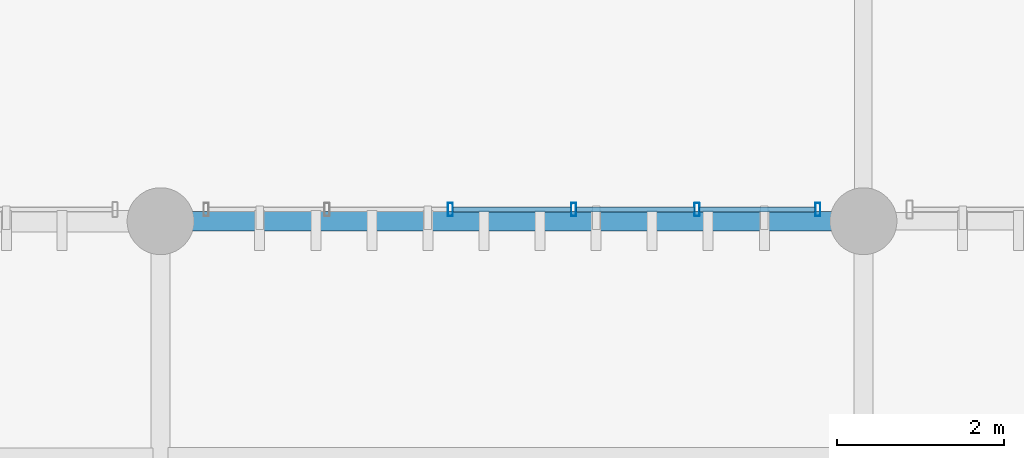
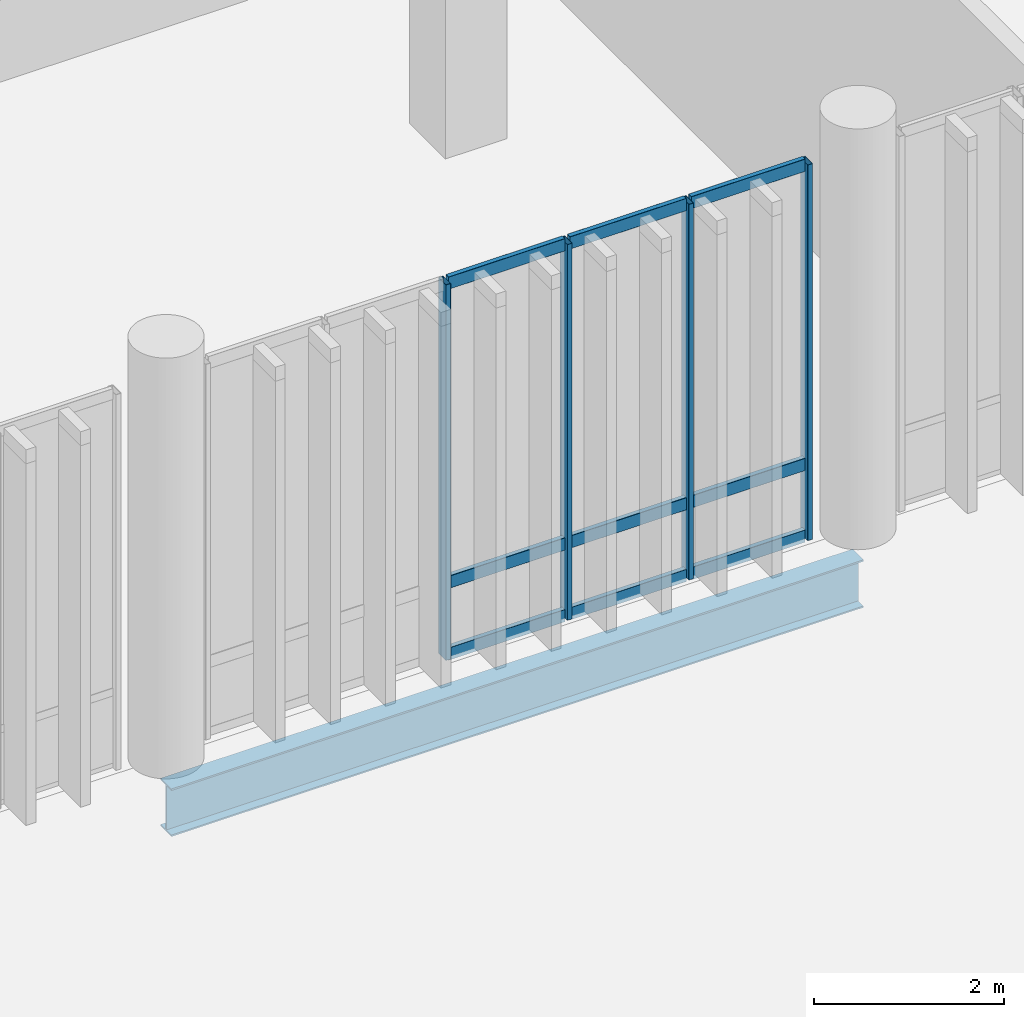
# One storey, part 16 of 112: 13 members, 1 beam, 1 element without a shape of its own.
"""IFC4 building model written with IfcOpenShell, lengths in metres."""

from ifc_helpers import new_model, si_unit, direction, frame, origin_with_axes, origin_2d_with_axis, place, context, subcontext, project, spatial, hollow_rectangle, i_section, extrude, material, material_profile, profile_set, type_object, element, aggregate, save


model = new_model("IFC4")

# Units and contexts
model_context = context("Model", 3, precision=1e-05, world=origin_with_axes(), true_north=direction((0.0, 1.0)))
body_context = subcontext(model_context, "Body", "Model", "MODEL_VIEW")
ifc_project = project(units=[si_unit("LENGTHUNIT", "METRE"), si_unit("AREAUNIT", "SQUARE_METRE"), si_unit("VOLUMEUNIT", "CUBIC_METRE"), si_unit("PLANEANGLEUNIT", "RADIAN"), si_unit("MASSUNIT", "GRAM", prefix="KILO"), si_unit("THERMODYNAMICTEMPERATUREUNIT", "KELVIN")], contexts=[model_context])

# Site, building, storey
site_placement = place(None, origin_with_axes())
site = spatial("IfcSite", under=ifc_project, at=site_placement, CompositionType="ELEMENT")
building_placement = place(site_placement, origin_with_axes())
building = spatial("IfcBuilding", under=site, at=building_placement, Name="Montbau Bow Law Courts", CompositionType="ELEMENT")
storey_placement = place(building_placement, origin_with_axes())
storey = spatial("IfcBuildingStorey", under=building, at=storey_placement, Name="L00", CompositionType="ELEMENT", Elevation=0.0)

# Beam
ifc_material_1 = material(Name="Steel CSA G40.21 Grade 350W (350 MPa)", Category="steel")
ifc_material_profile_1 = material_profile(ifc_material_1, i_section(OverallWidth=0.229, OverallDepth=0.612, WebThickness=0.0119, FlangeThickness=0.0196, at=origin_2d_with_axis()), Name="W610X125", Category="Main", Priority=0)
ifc_profile_set_1 = profile_set([ifc_material_profile_1], Name="Steel CSA G40.21 Grade 350W (350 MPa)")
beam_type = type_object("IfcBeamType", Name="B-FLR-05", PredefinedType="BEAM", material=ifc_profile_set_1)
beam_placement = place(None, frame((13.8, 30.6, -0.646), z_axis=(1.0, 0.0, 0.0), x_axis=(0.0, 1.0, 0.0)))
element("IfcBeam", 1, at=beam_placement, inside=storey, type_object=beam_type, Name="BM-L00-S0170:bm2_0173", PredefinedType="BEAM", context=body_context, shape_type="SweptSolid", body=[
    extrude(i_section(OverallWidth=0.229, OverallDepth=0.612, WebThickness=0.0119, FlangeThickness=0.0196, at=origin_2d_with_axis()), origin_with_axes(), (0.0, 0.0, 1.0), 8.4),
])

# Curtain wall, members
ifc_material_2 = material(Name="Thermally Broken Extruded Aluminium AA 6063-T6", Category="aluminium")
curtain_wall_type = type_object("IfcCurtainWallType", Name="CW-TRC-01", PredefinedType="NOTDEFINED", material=ifc_material_2)
curtain_wall_placement = place(None, frame((14.315, 30.74, 0.0), z_axis=(0.0, 0.0, 1.0), x_axis=(1.0, 0.0, 0.0)))
curtain_wall = element("IfcCurtainWall", 2, at=curtain_wall_placement, inside=storey, type_object=curtain_wall_type, Name="CW-L00-002:cw_0002", PredefinedType="NOTDEFINED")
ifc_material_profile_2 = material_profile(ifc_material_2, hollow_rectangle(XDim=0.06, YDim=0.16, WallThickness=0.004, InnerFilletRadius=0.008, OuterFilletRadius=0.004, at=origin_2d_with_axis()), Name="CWM-160X60", Category="Main", Priority=0)
ifc_profile_set_2 = profile_set([ifc_material_profile_2], Name="Thermally Broken Extruded Aluminium AA 6063-T6")
member_type_1 = type_object("IfcMemberType", Name="M-MUL-03", PredefinedType="MULLION", material=ifc_profile_set_2)
member_1_placement = place(None, frame((17.263, 30.74, 0.0), z_axis=(0.0, 0.0, 1.0), x_axis=(1.0, 0.0, 0.0)))
member_1 = element("IfcMember", 3, at=member_1_placement, type_object=member_type_1, Name="CW-L00-002-M03:cw_0002_M03", PredefinedType="MULLION", context=body_context, shape_type="SweptSolid", body=[
    extrude(hollow_rectangle(XDim=0.06, YDim=0.16, WallThickness=0.004, InnerFilletRadius=0.008, OuterFilletRadius=0.004, at=origin_2d_with_axis()), origin_with_axes(), (0.0, 0.0, 1.0), 4.82),
])
member_2_placement = place(None, frame((18.737, 30.74, 0.0), z_axis=(0.0, 0.0, 1.0), x_axis=(1.0, 0.0, 0.0)))
member_2 = element("IfcMember", 4, at=member_2_placement, type_object=member_type_1, Name="CW-L00-002-M04:cw_0002_M04", PredefinedType="MULLION", context=body_context, shape_type="SweptSolid", body=[
    extrude(hollow_rectangle(XDim=0.06, YDim=0.16, WallThickness=0.004, InnerFilletRadius=0.008, OuterFilletRadius=0.004, at=origin_2d_with_axis()), origin_with_axes(), (0.0, 0.0, 1.0), 4.82),
])
member_3_placement = place(None, frame((20.211, 30.74, 0.0), z_axis=(0.0, 0.0, 1.0), x_axis=(1.0, 0.0, 0.0)))
member_3 = element("IfcMember", 5, at=member_3_placement, type_object=member_type_1, Name="CW-L00-002-M05:cw_0002_M05", PredefinedType="MULLION", context=body_context, shape_type="SweptSolid", body=[
    extrude(hollow_rectangle(XDim=0.06, YDim=0.16, WallThickness=0.004, InnerFilletRadius=0.008, OuterFilletRadius=0.004, at=origin_2d_with_axis()), origin_with_axes(), (0.0, 0.0, 1.0), 4.82),
])
member_4_placement = place(None, frame((21.655, 30.74, 0.0), z_axis=(0.0, 0.0, 1.0), x_axis=(1.0, 0.0, 0.0)))
member_4 = element("IfcMember", 6, at=member_4_placement, type_object=member_type_1, Name="CW-L00-002-M06:cw_0002_M06", PredefinedType="MULLION", context=body_context, shape_type="SweptSolid", body=[
    extrude(hollow_rectangle(XDim=0.06, YDim=0.16, WallThickness=0.004, InnerFilletRadius=0.008, OuterFilletRadius=0.004, at=origin_2d_with_axis()), origin_with_axes(), (0.0, 0.0, 1.0), 4.82),
])
ifc_material_profile_3 = material_profile(ifc_material_2, hollow_rectangle(XDim=0.06, YDim=0.16, WallThickness=0.004, InnerFilletRadius=0.008, OuterFilletRadius=0.004, at=origin_2d_with_axis()), Name="CWT-160X60", Category="Main", Priority=0)
ifc_profile_set_3 = profile_set([ifc_material_profile_3], Name="Thermally Broken Extruded Aluminium AA 6063-T6")
member_type_2 = type_object("IfcMemberType", Name="M-TRN-01", PredefinedType="USERDEFINED", material=ifc_profile_set_3)
member_5_placement = place(None, frame((17.295, 30.74, 0.03), z_axis=(1.0, 0.0, 0.0), x_axis=(0.0, 1.0, 0.0)))
member_5 = element("IfcMember", 7, at=member_5_placement, type_object=member_type_2, Name="CW-L00-002-T03-1:cw_0002_T03_1", ObjectType="TRANSOM", PredefinedType="USERDEFINED", context=body_context, shape_type="SweptSolid", body=[
    extrude(hollow_rectangle(XDim=0.06, YDim=0.16, WallThickness=0.004, InnerFilletRadius=0.008, OuterFilletRadius=0.004, at=origin_2d_with_axis()), origin_with_axes(), (0.0, 0.0, 1.0), 1.41),
])
member_6_placement = place(None, frame((17.295, 30.74, 0.95), z_axis=(1.0, 0.0, 0.0), x_axis=(0.0, 1.0, 0.0)))
member_6 = element("IfcMember", 8, at=member_6_placement, type_object=member_type_2, Name="CW-L00-002-T03-2:cw_0002_T03_2", ObjectType="TRANSOM", PredefinedType="USERDEFINED", context=body_context, shape_type="SweptSolid", body=[
    extrude(hollow_rectangle(XDim=0.06, YDim=0.16, WallThickness=0.004, InnerFilletRadius=0.008, OuterFilletRadius=0.004, at=origin_2d_with_axis()), origin_with_axes(), (0.0, 0.0, 1.0), 1.41),
])
member_7_placement = place(None, frame((17.295, 30.74, 4.79), z_axis=(1.0, 0.0, 0.0), x_axis=(0.0, 1.0, 0.0)))
member_7 = element("IfcMember", 9, at=member_7_placement, type_object=member_type_2, Name="CW-L00-002-T03-3:cw_0002_T03_3", ObjectType="TRANSOM", PredefinedType="USERDEFINED", context=body_context, shape_type="SweptSolid", body=[
    extrude(hollow_rectangle(XDim=0.06, YDim=0.16, WallThickness=0.004, InnerFilletRadius=0.008, OuterFilletRadius=0.004, at=origin_2d_with_axis()), origin_with_axes(), (0.0, 0.0, 1.0), 1.41),
])
member_8_placement = place(None, frame((18.769, 30.74, 0.03), z_axis=(1.0, 0.0, 0.0), x_axis=(0.0, 1.0, 0.0)))
member_8 = element("IfcMember", 10, at=member_8_placement, type_object=member_type_2, Name="CW-L00-002-T04-1:cw_0002_T04_1", ObjectType="TRANSOM", PredefinedType="USERDEFINED", context=body_context, shape_type="SweptSolid", body=[
    extrude(hollow_rectangle(XDim=0.06, YDim=0.16, WallThickness=0.004, InnerFilletRadius=0.008, OuterFilletRadius=0.004, at=origin_2d_with_axis()), origin_with_axes(), (0.0, 0.0, 1.0), 1.41),
])
member_9_placement = place(None, frame((18.769, 30.74, 0.95), z_axis=(1.0, 0.0, 0.0), x_axis=(0.0, 1.0, 0.0)))
member_9 = element("IfcMember", 11, at=member_9_placement, type_object=member_type_2, Name="CW-L00-002-T04-2:cw_0002_T04_2", ObjectType="TRANSOM", PredefinedType="USERDEFINED", context=body_context, shape_type="SweptSolid", body=[
    extrude(hollow_rectangle(XDim=0.06, YDim=0.16, WallThickness=0.004, InnerFilletRadius=0.008, OuterFilletRadius=0.004, at=origin_2d_with_axis()), origin_with_axes(), (0.0, 0.0, 1.0), 1.41),
])
member_10_placement = place(None, frame((18.769, 30.74, 4.79), z_axis=(1.0, 0.0, 0.0), x_axis=(0.0, 1.0, 0.0)))
member_10 = element("IfcMember", 12, at=member_10_placement, type_object=member_type_2, Name="CW-L00-002-T04-3:cw_0002_T04_3", ObjectType="TRANSOM", PredefinedType="USERDEFINED", context=body_context, shape_type="SweptSolid", body=[
    extrude(hollow_rectangle(XDim=0.06, YDim=0.16, WallThickness=0.004, InnerFilletRadius=0.008, OuterFilletRadius=0.004, at=origin_2d_with_axis()), origin_with_axes(), (0.0, 0.0, 1.0), 1.41),
])
member_11_placement = place(None, frame((20.243, 30.74, 0.03), z_axis=(1.0, 0.0, 0.0), x_axis=(0.0, 1.0, 0.0)))
member_11 = element("IfcMember", 13, at=member_11_placement, type_object=member_type_2, Name="CW-L00-002-T05-1:cw_0002_T05_1", ObjectType="TRANSOM", PredefinedType="USERDEFINED", context=body_context, shape_type="SweptSolid", body=[
    extrude(hollow_rectangle(XDim=0.06, YDim=0.16, WallThickness=0.004, InnerFilletRadius=0.008, OuterFilletRadius=0.004, at=origin_2d_with_axis()), origin_with_axes(), (0.0, 0.0, 1.0), 1.38),
])
member_12_placement = place(None, frame((20.243, 30.74, 0.95), z_axis=(1.0, 0.0, 0.0), x_axis=(0.0, 1.0, 0.0)))
member_12 = element("IfcMember", 14, at=member_12_placement, type_object=member_type_2, Name="CW-L00-002-T05-2:cw_0002_T05_2", ObjectType="TRANSOM", PredefinedType="USERDEFINED", context=body_context, shape_type="SweptSolid", body=[
    extrude(hollow_rectangle(XDim=0.06, YDim=0.16, WallThickness=0.004, InnerFilletRadius=0.008, OuterFilletRadius=0.004, at=origin_2d_with_axis()), origin_with_axes(), (0.0, 0.0, 1.0), 1.38),
])
member_13_placement = place(None, frame((20.243, 30.74, 4.79), z_axis=(1.0, 0.0, 0.0), x_axis=(0.0, 1.0, 0.0)))
member_13 = element("IfcMember", 15, at=member_13_placement, type_object=member_type_2, Name="CW-L00-002-T05-3:cw_0002_T05_3", ObjectType="TRANSOM", PredefinedType="USERDEFINED", context=body_context, shape_type="SweptSolid", body=[
    extrude(hollow_rectangle(XDim=0.06, YDim=0.16, WallThickness=0.004, InnerFilletRadius=0.008, OuterFilletRadius=0.004, at=origin_2d_with_axis()), origin_with_axes(), (0.0, 0.0, 1.0), 1.38),
])
aggregate(curtain_wall, [member_1, member_2, member_3, member_4, member_5, member_6, member_7, member_8, member_9, member_10, member_11, member_12, member_13])

save(model, "model.ifc")
